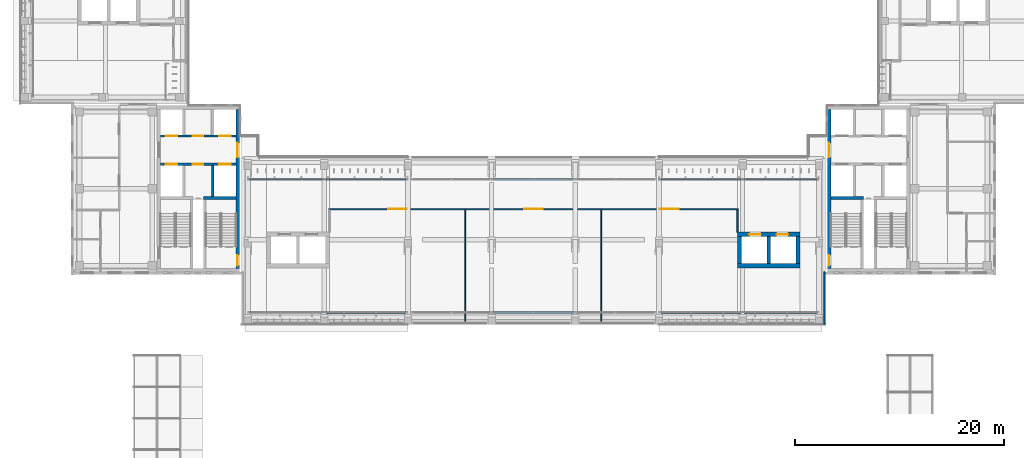
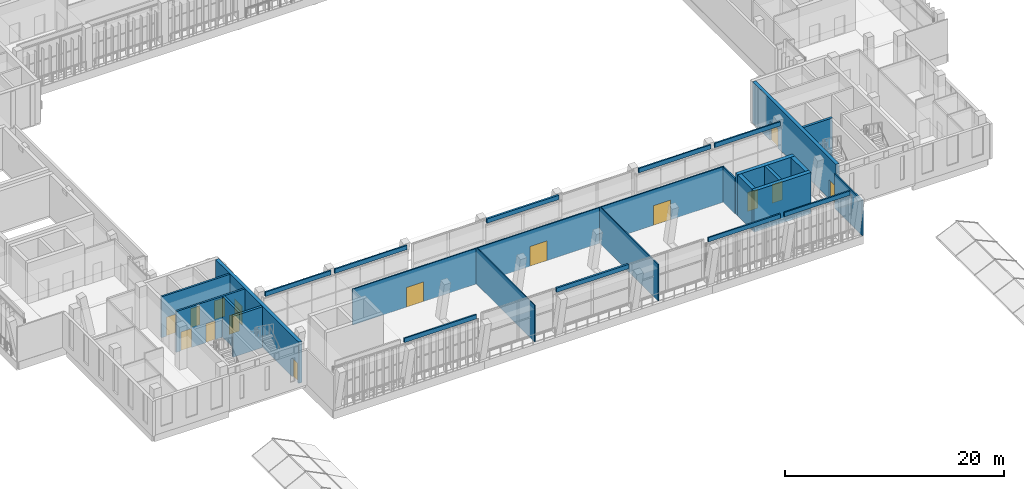
# One storey, part 43 of 73: 26 walls, 15 doors, 15 openings.
"""IFC4 building model written with IfcOpenShell, lengths in metres."""

from ifc_helpers import new_model, si_unit, direction, frame, frame_2d, origin, place, context, subcontext, project, spatial, rectangle, extrude, material, layer, layer_set, type_object, element, fill, save


model = new_model("IFC4")

# Units and contexts
model_context = context("Model", 3, precision=1e-05, world=origin(), true_north=direction((0.0, 1.0)))
body_context = subcontext(model_context, "Body", "Model", "MODEL_VIEW")
ifc_project = project(units=[si_unit("LENGTHUNIT", "METRE"), si_unit("AREAUNIT", "SQUARE_METRE"), si_unit("VOLUMEUNIT", "CUBIC_METRE"), si_unit("PLANEANGLEUNIT", "RADIAN"), si_unit("MASSUNIT", "GRAM", prefix="KILO")], contexts=[model_context])

# Site, building, storey
site_placement = place(None, origin())
site = spatial("IfcSite", under=ifc_project, at=site_placement, CompositionType="ELEMENT")
building_placement = place(site_placement, origin())
building = spatial("IfcBuilding", under=site, at=building_placement, Name="Lantern Court Media Centre", CompositionType="ELEMENT")
storey_placement = place(building_placement, frame((0.0, 0.0, 24.0)))
storey = spatial("IfcBuildingStorey", under=building, at=storey_placement, Name="L05", CompositionType="ELEMENT", Elevation=24.0)

# Wall
ifc_material_1 = material(Name="Gypsum board partition")
ifc_layer_1 = layer(ifc_material_1, 0.125)
ifc_layer_set_1 = layer_set([ifc_layer_1], Name="Gypsum board partition")
wall_type_1 = type_object("IfcWallType", Name="Corridor partition 125", PredefinedType="PARTITIONING", material=ifc_layer_set_1)
wall_1_placement = place(storey_placement, frame((71.5, 51.800048828125, 0.0), z_axis=(0.0, 0.0, 1.0), x_axis=(0.0, 1.0, 0.0)))
element("IfcWall", 1, at=wall_1_placement, inside=storey, type_object=wall_type_1, Name="L05 partition 002", PredefinedType="PARTITIONING", context=body_context, shape_type="SweptSolid", body=[
    extrude(rectangle(XDim=2.137451171875, YDim=0.125, at=frame_2d((1.06884765625, 0.0))), origin(), (0.0, 0.0, 1.0), 3.97998046875),
])

# Wall, openings, doors
wall_2_placement = place(storey_placement, frame((32.4375, 54.0, 0.0), z_axis=(0.0, 0.0, 1.0), x_axis=(1.0, 0.0, 0.0)))
wall_2 = element("IfcWall", 2, at=wall_2_placement, inside=storey, type_object=wall_type_1, Name="L05 partition 004", PredefinedType="PARTITIONING", context=body_context, shape_type="SweptSolid", body=[
    extrude(rectangle(XDim=39.125, YDim=0.125, at=frame_2d((19.5625, 0.0))), origin(), (0.0, 0.0, 1.0), 3.97998046875),
])
opening_1_placement = place(wall_2_placement, frame((5.66259765625, 0.0, 0.0)))
opening_1 = element("IfcOpeningElement", 3, at=opening_1_placement, cuts=wall_2, Name="Opening L05-001", PredefinedType="OPENING", context=body_context, shape_type="SweptSolid", body=[
    extrude(rectangle(XDim=1.800048828125, YDim=2.199951171875, at=frame_2d((0.89990234375, 1.10009765625))), frame((0.0, 0.072509765625, 0.0), z_axis=(0.0, -1.0, 0.0), x_axis=(1.0, 0.0, 0.0)), (0.0, 0.0, 1.0), 0.14501953125),
])
opening_2_placement = place(wall_2_placement, frame((18.66259765625, 0.0, 0.0)))
opening_2 = element("IfcOpeningElement", 4, at=opening_2_placement, cuts=wall_2, Name="Opening L05-002", PredefinedType="OPENING", context=body_context, shape_type="SweptSolid", body=[
    extrude(rectangle(XDim=1.800048828125, YDim=2.199951171875, at=frame_2d((0.89990234375, 1.10009765625))), frame((0.0, 0.072509765625, 0.0), z_axis=(0.0, -1.0, 0.0), x_axis=(1.0, 0.0, 0.0)), (0.0, 0.0, 1.0), 0.14501953125),
])
opening_3_placement = place(wall_2_placement, frame((31.66259765625, 0.0, 0.0)))
opening_3 = element("IfcOpeningElement", 5, at=opening_3_placement, cuts=wall_2, Name="Opening L05-003", PredefinedType="OPENING", context=body_context, shape_type="SweptSolid", body=[
    extrude(rectangle(XDim=1.800048828125, YDim=2.199951171875, at=frame_2d((0.89990234375, 1.10009765625))), frame((0.0, 0.072509765625, 0.0), z_axis=(0.0, -1.0, 0.0), x_axis=(1.0, 0.0, 0.0)), (0.0, 0.0, 1.0), 0.14501953125),
])
ifc_material_2 = material(Name="Solid-core timber door leaf", Category="wood")
door_type_1 = type_object("IfcDoorType", Name="Double door 1800x2200", OperationType="NOTDEFINED", PredefinedType="DOOR", material=ifc_material_2)
door_1_placement = place(opening_1_placement, origin())
door_1 = element("IfcDoor", 6, at=door_1_placement, inside=storey, type_object=door_type_1, Name="L05 Exhibition Gallery door", OperationType="DOUBLE_DOOR_SINGLE_SWING", OverallHeight=2.199951171875, OverallWidth=1.800048828125, PredefinedType="DOOR", context=body_context, shape_type="SweptSolid", body=[
    extrude(rectangle(XDim=1.800048828125, YDim=2.199951171875, at=frame_2d((0.89990234375, 1.10009765625))), frame((0.0, 0.02490234375, 0.0), z_axis=(0.0, -1.0, 0.0), x_axis=(1.0, 0.0, 0.0)), (0.0, 0.0, 1.0), 0.050048828125),
])
fill(opening_1, door_1)
door_2_placement = place(opening_2_placement, origin())
door_2 = element("IfcDoor", 7, at=door_2_placement, inside=storey, type_object=door_type_1, Name="L05 Community Room 01 door", OperationType="DOUBLE_DOOR_SINGLE_SWING", OverallHeight=2.199951171875, OverallWidth=1.800048828125, PredefinedType="DOOR", context=body_context, shape_type="SweptSolid", body=[
    extrude(rectangle(XDim=1.800048828125, YDim=2.199951171875, at=frame_2d((0.89990234375, 1.10009765625))), frame((0.0, 0.02490234375, 0.0), z_axis=(0.0, -1.0, 0.0), x_axis=(1.0, 0.0, 0.0)), (0.0, 0.0, 1.0), 0.050048828125),
])
fill(opening_2, door_2)
door_3_placement = place(opening_3_placement, origin())
door_3 = element("IfcDoor", 8, at=door_3_placement, inside=storey, type_object=door_type_1, Name="L05 Community Room 02 door", OperationType="DOUBLE_DOOR_SINGLE_SWING", OverallHeight=2.199951171875, OverallWidth=1.800048828125, PredefinedType="DOOR", context=body_context, shape_type="SweptSolid", body=[
    extrude(rectangle(XDim=1.800048828125, YDim=2.199951171875, at=frame_2d((0.89990234375, 1.10009765625))), frame((0.0, 0.02490234375, 0.0), z_axis=(0.0, -1.0, 0.0), x_axis=(1.0, 0.0, 0.0)), (0.0, 0.0, 1.0), 0.050048828125),
])
fill(opening_3, door_3)

ifc_material_3 = material(Name="Concrete C40", Category="concrete")
ifc_layer_2 = layer(ifc_material_3, 0.199951171875)
ifc_layer_set_2 = layer_set([ifc_layer_2], Name="Concrete C40")
wall_type_2 = type_object("IfcWallType", Name="Fire lobby wall 200", PredefinedType="SOLIDWALL", material=ifc_layer_set_2)
wall_3_placement = place(storey_placement, frame((16.35009765625, 58.300048828125, 0.0), z_axis=(0.0, 0.0, 1.0), x_axis=(1.0, 0.0, 0.0)))
wall_3 = element("IfcWall", 9, at=wall_3_placement, inside=storey, type_object=wall_type_2, Name="L05 SW FW1", PredefinedType="SOLIDWALL", context=body_context, shape_type="SweptSolid", body=[
    extrude(rectangle(XDim=7.199951171875, YDim=0.199951171875, at=frame_2d((3.60009765625, 0.0))), origin(), (0.0, 0.0, 1.0), 4.550048828125),
])
opening_4_placement = place(wall_3_placement, frame((0.5, 0.0, 0.0)))
opening_4 = element("IfcOpeningElement", 10, at=opening_4_placement, cuts=wall_3, Name="Opening LD-SWFF-L05", PredefinedType="OPENING", context=body_context, shape_type="SweptSolid", body=[
    extrude(rectangle(XDim=1.10009765625, YDim=2.10009765625, at=frame_2d((0.550048828125, 1.050048828125))), frame((0.0, 0.10986328125, 0.0), z_axis=(0.0, -1.0, 0.0), x_axis=(1.0, 0.0, 0.0)), (0.0, 0.0, 1.0), 0.219970703125),
])
opening_5_placement = place(wall_3_placement, frame((5.60009765625, 0.0, 0.0)))
opening_5 = element("IfcOpeningElement", 11, at=opening_5_placement, cuts=wall_3, Name="Opening LD-SWP1-L05", PredefinedType="OPENING", context=body_context, shape_type="SweptSolid", body=[
    extrude(rectangle(XDim=1.10009765625, YDim=2.10009765625, at=frame_2d((0.550048828125, 1.050048828125))), frame((0.0, 0.10986328125, 0.0), z_axis=(0.0, -1.0, 0.0), x_axis=(1.0, 0.0, 0.0)), (0.0, 0.0, 1.0), 0.219970703125),
])
opening_6_placement = place(wall_3_placement, frame((3.10009765625, 0.0, 0.0)))
opening_6 = element("IfcOpeningElement", 12, at=opening_6_placement, cuts=wall_3, Name="Opening SW-L05-03", PredefinedType="OPENING", context=body_context, shape_type="SweptSolid", body=[
    extrude(rectangle(XDim=1.0, YDim=2.10009765625, at=frame_2d((0.5, 1.050048828125))), frame((0.0, 0.10986328125, 0.0), z_axis=(0.0, -1.0, 0.0), x_axis=(1.0, 0.0, 0.0)), (0.0, 0.0, 1.0), 0.219970703125),
])
ifc_material_4 = material(Name="Steel door leaf", Category="steel")
door_type_2 = type_object("IfcDoorType", Name="Lift landing door 1100x2100", OperationType="DOUBLE_DOOR_SLIDING", PredefinedType="DOOR", material=ifc_material_4)
door_4_placement = place(opening_4_placement, origin())
door_4 = element("IfcDoor", 13, at=door_4_placement, inside=storey, type_object=door_type_2, Name="L05 SW lift FF landing door", OperationType="DOUBLE_DOOR_SLIDING", OverallHeight=2.10009765625, OverallWidth=1.10009765625, PredefinedType="DOOR", context=body_context, shape_type="SweptSolid", body=[
    extrude(rectangle(XDim=1.10009765625, YDim=2.10009765625, at=frame_2d((0.550048828125, 1.050048828125))), frame((0.0, 0.02490234375, 0.0), z_axis=(0.0, -1.0, 0.0), x_axis=(1.0, 0.0, 0.0)), (0.0, 0.0, 1.0), 0.050048828125),
])
fill(opening_4, door_4)
door_5_placement = place(opening_5_placement, origin())
door_5 = element("IfcDoor", 14, at=door_5_placement, inside=storey, type_object=door_type_2, Name="L05 SW lift P1 landing door", OperationType="DOUBLE_DOOR_SLIDING", OverallHeight=2.10009765625, OverallWidth=1.10009765625, PredefinedType="DOOR", context=body_context, shape_type="SweptSolid", body=[
    extrude(rectangle(XDim=1.10009765625, YDim=2.10009765625, at=frame_2d((0.550048828125, 1.050048828125))), frame((0.0, 0.02490234375, 0.0), z_axis=(0.0, -1.0, 0.0), x_axis=(1.0, 0.0, 0.0)), (0.0, 0.0, 1.0), 0.050048828125),
])
fill(opening_5, door_5)
door_type_3 = type_object("IfcDoorType", Name="Service door 1000x2100", OperationType="NOTDEFINED", PredefinedType="DOOR", material=ifc_material_4)
door_6_placement = place(opening_6_placement, origin())
door_6 = element("IfcDoor", 15, at=door_6_placement, inside=storey, type_object=door_type_3, Name="L05 SW services riser door", OperationType="SINGLE_SWING_LEFT", OverallHeight=2.10009765625, OverallWidth=1.0, PredefinedType="DOOR", context=body_context, shape_type="SweptSolid", body=[
    extrude(rectangle(XDim=1.0, YDim=2.10009765625, at=frame_2d((0.5, 1.050048828125))), frame((0.0, 0.02490234375, 0.0), z_axis=(0.0, -1.0, 0.0), x_axis=(1.0, 0.0, 0.0)), (0.0, 0.0, 1.0), 0.050048828125),
])
fill(opening_6, door_6)

wall_4_placement = place(storey_placement, frame((16.35009765625, 61.0, 0.0), z_axis=(0.0, 0.0, 1.0), x_axis=(1.0, 0.0, 0.0)))
wall_4 = element("IfcWall", 16, at=wall_4_placement, inside=storey, type_object=wall_type_2, Name="L05 SW FW2", PredefinedType="SOLIDWALL", context=body_context, shape_type="SweptSolid", body=[
    extrude(rectangle(XDim=7.199951171875, YDim=0.199951171875, at=frame_2d((3.60009765625, 0.0))), origin(), (0.0, 0.0, 1.0), 4.550048828125),
])
opening_7_placement = place(wall_4_placement, frame((0.5, 0.0, 0.0)))
opening_7 = element("IfcOpeningElement", 17, at=opening_7_placement, cuts=wall_4, Name="Opening LD-SWP2-L05", PredefinedType="OPENING", context=body_context, shape_type="SweptSolid", body=[
    extrude(rectangle(XDim=1.10009765625, YDim=2.10009765625, at=frame_2d((0.550048828125, 1.050048828125))), frame((0.0, 0.10986328125, 0.0), z_axis=(0.0, -1.0, 0.0), x_axis=(1.0, 0.0, 0.0)), (0.0, 0.0, 1.0), 0.219970703125),
])
opening_8_placement = place(wall_4_placement, frame((5.60009765625, 0.0, 0.0)))
opening_8 = element("IfcOpeningElement", 18, at=opening_8_placement, cuts=wall_4, Name="Opening LD-SWP3-L05", PredefinedType="OPENING", context=body_context, shape_type="SweptSolid", body=[
    extrude(rectangle(XDim=1.10009765625, YDim=2.10009765625, at=frame_2d((0.550048828125, 1.050048828125))), frame((0.0, 0.10986328125, 0.0), z_axis=(0.0, -1.0, 0.0), x_axis=(1.0, 0.0, 0.0)), (0.0, 0.0, 1.0), 0.219970703125),
])
opening_9_placement = place(wall_4_placement, frame((3.10009765625, 0.0, 0.0)))
opening_9 = element("IfcOpeningElement", 19, at=opening_9_placement, cuts=wall_4, Name="Opening SW-L05-04", PredefinedType="OPENING", context=body_context, shape_type="SweptSolid", body=[
    extrude(rectangle(XDim=1.0, YDim=2.10009765625, at=frame_2d((0.5, 1.050048828125))), frame((0.0, 0.10986328125, 0.0), z_axis=(0.0, -1.0, 0.0), x_axis=(1.0, 0.0, 0.0)), (0.0, 0.0, 1.0), 0.219970703125),
])
door_7_placement = place(opening_7_placement, frame((1.10009765625, 0.0, 0.0), z_axis=(0.0, 0.0, 1.0), x_axis=(-1.0, 0.0, 0.0)))
door_7 = element("IfcDoor", 20, at=door_7_placement, inside=storey, type_object=door_type_2, Name="L05 SW lift P2 landing door", OperationType="DOUBLE_DOOR_SLIDING", OverallHeight=2.10009765625, OverallWidth=1.10009765625, PredefinedType="DOOR", context=body_context, shape_type="SweptSolid", body=[
    extrude(rectangle(XDim=1.10009765625, YDim=2.10009765625, at=frame_2d((0.550048828125, 1.050048828125))), frame((0.0, 0.02490234375, 0.0), z_axis=(0.0, -1.0, 0.0), x_axis=(1.0, 0.0, 0.0)), (0.0, 0.0, 1.0), 0.050048828125),
])
fill(opening_7, door_7)
door_8_placement = place(opening_8_placement, frame((1.10009765625, 0.0, 0.0), z_axis=(0.0, 0.0, 1.0), x_axis=(-1.0, 0.0, 0.0)))
door_8 = element("IfcDoor", 21, at=door_8_placement, inside=storey, type_object=door_type_2, Name="L05 SW lift P3 landing door", OperationType="DOUBLE_DOOR_SLIDING", OverallHeight=2.10009765625, OverallWidth=1.10009765625, PredefinedType="DOOR", context=body_context, shape_type="SweptSolid", body=[
    extrude(rectangle(XDim=1.10009765625, YDim=2.10009765625, at=frame_2d((0.550048828125, 1.050048828125))), frame((0.0, 0.02490234375, 0.0), z_axis=(0.0, -1.0, 0.0), x_axis=(1.0, 0.0, 0.0)), (0.0, 0.0, 1.0), 0.050048828125),
])
fill(opening_8, door_8)
door_9_placement = place(opening_9_placement, frame((1.0, 0.0, 0.0), z_axis=(0.0, 0.0, 1.0), x_axis=(-1.0, 0.0, 0.0)))
door_9 = element("IfcDoor", 22, at=door_9_placement, inside=storey, type_object=door_type_3, Name="L05 SW accessible WC door", OperationType="SINGLE_SWING_RIGHT", OverallHeight=2.10009765625, OverallWidth=1.0, PredefinedType="DOOR", context=body_context, shape_type="SweptSolid", body=[
    extrude(rectangle(XDim=1.0, YDim=2.10009765625, at=frame_2d((0.5, 1.050048828125))), frame((0.0, 0.02490234375, 0.0), z_axis=(0.0, -1.0, 0.0), x_axis=(1.0, 0.0, 0.0)), (0.0, 0.0, 1.0), 0.050048828125),
])
fill(opening_9, door_9)

# Walls
ifc_material_5 = material(Name="Insulated rendered blockwork", Category="masonry")
ifc_layer_3 = layer(ifc_material_5, 0.14990234375)
ifc_layer_set_3 = layer_set([ifc_layer_3], Name="Insulated rendered blockwork")
wall_type_3 = type_object("IfcWallType", Name="Head infill wall 150", PredefinedType="SOLIDWALL", material=ifc_layer_set_3)
for number, where, z_axis, x_axis, name in (
    (23, (32.199951171875, 44.14990234375, 4.10009765625), (0.0, 0.0, 1.0), (1.0, 0.0, 0.0), "Head infill wall S outer L05"),
    (24, (64.199951171875, 44.14990234375, 4.10009765625), (0.0, 0.0, 1.0), (1.0, 0.0, 0.0), "Head infill wall S outer L05"),
):
    element("IfcWall", number, at=place(storey_placement, frame(where, z_axis=z_axis, x_axis=x_axis)), inside=storey, type_object=wall_type_3, Name=name, PredefinedType="SOLIDWALL", context=body_context, shape_type="SweptSolid", body=[
        extrude(rectangle(XDim=7.60009765625, YDim=0.14990234375, at=frame_2d((3.800048828125, 0.0))), origin(), (0.0, 0.0, 1.0), 0.47998046875),
    ])
for number, where, z_axis, x_axis, name in (
    (25, (72.199951171875, 44.14990234375, 4.10009765625), (0.0, 0.0, 1.0), (1.0, 0.0, 0.0), "Head infill wall S outer L05"),
    (26, (24.89990234375, 56.85009765625, 4.10009765625), (0.0, 0.0, 1.0), (1.0, 0.0, 0.0), "Head infill wall S inner L05"),
):
    element("IfcWall", number, at=place(storey_placement, frame(where, z_axis=z_axis, x_axis=x_axis)), inside=storey, type_object=wall_type_3, Name=name, PredefinedType="SOLIDWALL", context=body_context, shape_type="SweptSolid", body=[
        extrude(rectangle(XDim=6.900146484375, YDim=0.14990234375, at=frame_2d((3.4501953125, 0.0))), origin(), (0.0, 0.0, 1.0), 0.47998046875),
    ])
for number, where, z_axis, x_axis, name in (
    (27, (32.199951171875, 56.85009765625, 4.10009765625), (0.0, 0.0, 1.0), (1.0, 0.0, 0.0), "Head infill wall S inner L05"),
    (28, (64.199951171875, 56.85009765625, 4.10009765625), (0.0, 0.0, 1.0), (1.0, 0.0, 0.0), "Head infill wall S inner L05"),
):
    element("IfcWall", number, at=place(storey_placement, frame(where, z_axis=z_axis, x_axis=x_axis)), inside=storey, type_object=wall_type_3, Name=name, PredefinedType="SOLIDWALL", context=body_context, shape_type="SweptSolid", body=[
        extrude(rectangle(XDim=7.60009765625, YDim=0.14990234375, at=frame_2d((3.800048828125, 0.0))), origin(), (0.0, 0.0, 1.0), 0.47998046875),
    ])
wall_5_placement = place(storey_placement, frame((72.199951171875, 56.85009765625, 4.10009765625), z_axis=(0.0, 0.0, 1.0), x_axis=(1.0, 0.0, 0.0)))
element("IfcWall", 29, at=wall_5_placement, inside=storey, type_object=wall_type_3, Name="Head infill wall S inner L05", PredefinedType="SOLIDWALL", context=body_context, shape_type="SweptSolid", body=[
    extrude(rectangle(XDim=6.900146484375, YDim=0.14990234375, at=frame_2d((3.4501953125, 0.0))), origin(), (0.0, 0.0, 1.0), 0.47998046875),
])
ifc_layer_4 = layer(ifc_material_5, 0.199951171875)
ifc_layer_set_4 = layer_set([ifc_layer_4], Name="Insulated rendered blockwork")
wall_type_4 = type_object("IfcWallType", Name="Head infill wall 200", PredefinedType="SOLIDWALL", material=ifc_layer_set_4)
for number, where, z_axis, x_axis, name in (
    (30, (48.199951171875, 44.14990234375, 4.10009765625), (0.0, 0.0, 1.0), (1.0, 0.0, 0.0), "Head infill wall S hall"),
    (31, (48.199951171875, 56.85009765625, 4.10009765625), (0.0, 0.0, 1.0), (1.0, 0.0, 0.0), "Head infill wall S hall"),
):
    element("IfcWall", number, at=place(storey_placement, frame(where, z_axis=z_axis, x_axis=x_axis)), inside=storey, type_object=wall_type_4, Name=name, PredefinedType="SOLIDWALL", context=body_context, shape_type="SweptSolid", body=[
        extrude(rectangle(XDim=7.60009765625, YDim=0.199951171875, at=frame_2d((3.800048828125, 0.0))), origin(), (0.0, 0.0, 1.0), 0.47998046875),
    ])
ifc_material_6 = material(Name="Honed limestone cladding on blockwork", Category="masonry")
ifc_layer_5 = layer(ifc_material_6, 0.139892578125)
ifc_layer_set_5 = layer_set([ifc_layer_5], Name="Honed limestone cladding on blockwork")
wall_type_5 = type_object("IfcWallType", Name="Limestone closure wall 140", PredefinedType="SOLIDWALL", material=ifc_layer_set_5)
wall_6_placement = place(storey_placement, frame((79.830078125, 43.0, 0.0), z_axis=(0.0, 0.0, 1.0), x_axis=(0.0, 1.0, 0.0)))
element("IfcWall", 32, at=wall_6_placement, inside=storey, type_object=wall_type_5, Name="Limestone closure wall S-SE L05", PredefinedType="SOLIDWALL", context=body_context, shape_type="SweptSolid", body=[
    extrude(rectangle(XDim=5.0, YDim=0.139892578125, at=frame_2d((2.5, 0.0))), origin(), (0.0, 0.0, 1.0), 3.89990234375),
])
ifc_layer_6 = layer(ifc_material_1, 0.10009765625)
ifc_layer_set_6 = layer_set([ifc_layer_6], Name="Gypsum board partition")
wall_type_6 = type_object("IfcWallType", Name="Partition 100", PredefinedType="PARTITIONING", material=ifc_layer_set_6)
for number, where, z_axis, x_axis, name in (
    (33, (45.5, 43.300048828125, 0.0), (0.0, 0.0, 1.0), (0.0, 1.0, 0.0), "L05 partition 003"),
    (34, (58.5, 43.300048828125, 0.0), (0.0, 0.0, 1.0), (0.0, 1.0, 0.0), "L05 partition 005"),
):
    element("IfcWall", number, at=place(storey_placement, frame(where, z_axis=z_axis, x_axis=x_axis)), inside=storey, type_object=wall_type_6, Name=name, PredefinedType="PARTITIONING", context=body_context, shape_type="SweptSolid", body=[
        extrude(rectangle(XDim=10.637451171875, YDim=0.10009765625, at=frame_2d((5.31884765625, 0.0))), origin(), (0.0, 0.0, 1.0), 4.080078125),
    ])

# Wall, openings, doors
ifc_layer_7 = layer(ifc_material_3, 0.35009765625)
ifc_layer_set_7 = layer_set([ifc_layer_7], Name="Concrete C40")
wall_type_7 = type_object("IfcWallType", Name="RC CORE WALL 350", PredefinedType="SHEAR", material=ifc_layer_set_7)
wall_7_placement = place(storey_placement, frame((23.72509765625, 48.35009765625, 0.0), z_axis=(0.0, 0.0, 1.0), x_axis=(0.0, 1.0, 0.0)))
wall_7 = element("IfcWall", 35, at=wall_7_placement, inside=storey, type_object=wall_type_7, Name="WC-SW-L05-E", PredefinedType="SHEAR", context=body_context, shape_type="SweptSolid", body=[
    extrude(rectangle(XDim=15.199951171875, YDim=0.35009765625, at=frame_2d((7.60009765625, 0.0))), origin(), (0.0, 0.0, 1.0), 4.580078125),
])
opening_10_placement = place(wall_7_placement, frame((0.25, 0.0, 0.0)))
opening_10 = element("IfcOpeningElement", 36, at=opening_10_placement, cuts=wall_7, Name="Opening SW-L05-02", PredefinedType="OPENING", context=body_context, shape_type="SweptSolid", body=[
    extrude(rectangle(XDim=1.0, YDim=2.10009765625, at=frame_2d((0.5, 1.050048828125))), frame((0.0, 0.18505859375, 0.0), z_axis=(0.0, -1.0, 0.0), x_axis=(1.0, 0.0, 0.0)), (0.0, 0.0, 1.0), 0.3701171875),
])
opening_11_placement = place(wall_7_placement, frame((10.60009765625, 0.0, 0.0)))
opening_11 = element("IfcOpeningElement", 37, at=opening_11_placement, cuts=wall_7, Name="Opening SW-L05-06", PredefinedType="OPENING", context=body_context, shape_type="SweptSolid", body=[
    extrude(rectangle(XDim=1.39990234375, YDim=2.10009765625, at=frame_2d((0.699951171875, 1.050048828125))), frame((0.0, 0.18505859375, 0.0), z_axis=(0.0, -1.0, 0.0), x_axis=(1.0, 0.0, 0.0)), (0.0, 0.0, 1.0), 0.3701171875),
])
door_type_4 = type_object("IfcDoorType", Name="Lift lobby double door 1400x2100", OperationType="NOTDEFINED", PredefinedType="DOOR", material=ifc_material_4)
door_10_placement = place(opening_11_placement, frame((1.39990234375, 0.0, 0.0), z_axis=(0.0, 0.0, 1.0), x_axis=(-1.0, 0.0, 0.0)))
door_10 = element("IfcDoor", 38, at=door_10_placement, inside=storey, type_object=door_type_4, Name="L05 SW lift lobby east door", OperationType="SINGLE_SWING_RIGHT", OverallHeight=2.10009765625, OverallWidth=1.39990234375, PredefinedType="DOOR", context=body_context, shape_type="SweptSolid", body=[
    extrude(rectangle(XDim=1.39990234375, YDim=2.10009765625, at=frame_2d((0.699951171875, 1.050048828125))), frame((0.0, 0.02490234375, 0.0), z_axis=(0.0, -1.0, 0.0), x_axis=(1.0, 0.0, 0.0)), (0.0, 0.0, 1.0), 0.050048828125),
])
fill(opening_11, door_10)
door_type_5 = type_object("IfcDoorType", Name="Stair door 1000x2100", OperationType="NOTDEFINED", PredefinedType="DOOR", material=ifc_material_4)
door_11_placement = place(opening_10_placement, frame((1.0, 0.0, 0.0), z_axis=(0.0, 0.0, 1.0), x_axis=(-1.0, 0.0, 0.0)))
door_11 = element("IfcDoor", 39, at=door_11_placement, inside=storey, type_object=door_type_5, Name="L05 SW stair B door", OperationType="SINGLE_SWING_RIGHT", OverallHeight=2.10009765625, OverallWidth=1.0, PredefinedType="DOOR", context=body_context, shape_type="SweptSolid", body=[
    extrude(rectangle(XDim=1.0, YDim=2.10009765625, at=frame_2d((0.5, 1.050048828125))), frame((0.0, 0.02490234375, 0.0), z_axis=(0.0, -1.0, 0.0), x_axis=(1.0, 0.0, 0.0)), (0.0, 0.0, 1.0), 0.050048828125),
])
fill(opening_10, door_11)

wall_8_placement = place(storey_placement, frame((80.27490234375, 48.35009765625, 0.0), z_axis=(0.0, 0.0, 1.0), x_axis=(0.0, 1.0, 0.0)))
wall_8 = element("IfcWall", 40, at=wall_8_placement, inside=storey, type_object=wall_type_7, Name="WC-SE-L05-W", PredefinedType="SHEAR", context=body_context, shape_type="SweptSolid", body=[
    extrude(rectangle(XDim=15.199951171875, YDim=0.35009765625, at=frame_2d((7.60009765625, 0.0))), origin(), (0.0, 0.0, 1.0), 4.580078125),
])
opening_12_placement = place(wall_8_placement, frame((0.25, 0.0, 0.0)))
opening_12 = element("IfcOpeningElement", 41, at=opening_12_placement, cuts=wall_8, Name="Opening SE-L05-02", PredefinedType="OPENING", context=body_context, shape_type="SweptSolid", body=[
    extrude(rectangle(XDim=1.0, YDim=2.10009765625, at=frame_2d((0.5, 1.050048828125))), frame((0.0, 0.18505859375, 0.0), z_axis=(0.0, -1.0, 0.0), x_axis=(1.0, 0.0, 0.0)), (0.0, 0.0, 1.0), 0.3701171875),
])
opening_13_placement = place(wall_8_placement, frame((10.60009765625, 0.0, 0.0)))
opening_13 = element("IfcOpeningElement", 42, at=opening_13_placement, cuts=wall_8, Name="Opening SE-L05-06", PredefinedType="OPENING", context=body_context, shape_type="SweptSolid", body=[
    extrude(rectangle(XDim=1.39990234375, YDim=2.10009765625, at=frame_2d((0.699951171875, 1.050048828125))), frame((0.0, 0.18505859375, 0.0), z_axis=(0.0, -1.0, 0.0), x_axis=(1.0, 0.0, 0.0)), (0.0, 0.0, 1.0), 0.3701171875),
])
door_12_placement = place(opening_13_placement, origin())
door_12 = element("IfcDoor", 43, at=door_12_placement, inside=storey, type_object=door_type_4, Name="L05 SE lift lobby east door", OperationType="SINGLE_SWING_LEFT", OverallHeight=2.10009765625, OverallWidth=1.39990234375, PredefinedType="DOOR", context=body_context, shape_type="SweptSolid", body=[
    extrude(rectangle(XDim=1.39990234375, YDim=2.10009765625, at=frame_2d((0.699951171875, 1.050048828125))), frame((0.0, 0.02490234375, 0.0), z_axis=(0.0, -1.0, 0.0), x_axis=(1.0, 0.0, 0.0)), (0.0, 0.0, 1.0), 0.050048828125),
])
fill(opening_13, door_12)
door_13_placement = place(opening_12_placement, origin())
door_13 = element("IfcDoor", 44, at=door_13_placement, inside=storey, type_object=door_type_5, Name="L05 SE stair B door", OperationType="SINGLE_SWING_LEFT", OverallHeight=2.10009765625, OverallWidth=1.0, PredefinedType="DOOR", context=body_context, shape_type="SweptSolid", body=[
    extrude(rectangle(XDim=1.0, YDim=2.10009765625, at=frame_2d((0.5, 1.050048828125))), frame((0.0, 0.02490234375, 0.0), z_axis=(0.0, -1.0, 0.0), x_axis=(1.0, 0.0, 0.0)), (0.0, 0.0, 1.0), 0.050048828125),
])
fill(opening_12, door_13)

# Walls
ifc_layer_8 = layer(ifc_material_3, 0.300048828125)
ifc_layer_set_8 = layer_set([ifc_layer_8], Name="Concrete C40")
wall_type_8 = type_object("IfcWallType", Name="RC SHEAR WALL 300", PredefinedType="SHEAR", material=ifc_layer_set_8)
wall_9_placement = place(storey_placement, frame((74.5, 48.800048828125, 0.0), z_axis=(0.0, 0.0, 1.0), x_axis=(0.0, 1.0, 0.0)))
element("IfcWall", 45, at=wall_9_placement, inside=storey, type_object=wall_type_8, Name="WB-S-LC2-L05-D", PredefinedType="SHEAR", context=body_context, shape_type="SweptSolid", body=[
    extrude(rectangle(XDim=2.599853515625, YDim=0.300048828125, at=frame_2d((1.2998046875, 0.0))), origin(), (0.0, 0.0, 1.0), 4.580078125),
])
ifc_layer_9 = layer(ifc_material_3, 0.39990234375)
ifc_layer_set_9 = layer_set([ifc_layer_9], Name="Concrete C40")
wall_type_9 = type_object("IfcWallType", Name="RC SHEAR WALL 400", PredefinedType="SHEAR", material=ifc_layer_set_9)
wall_10_placement = place(storey_placement, frame((71.5, 48.60009765625, 0.0), z_axis=(0.0, 0.0, 1.0), x_axis=(1.0, 0.0, 0.0)))
element("IfcWall", 46, at=wall_10_placement, inside=storey, type_object=wall_type_9, Name="WB-S-LC2-L05-S", PredefinedType="SHEAR", context=body_context, shape_type="SweptSolid", body=[
    extrude(rectangle(XDim=6.0, YDim=0.39990234375, at=frame_2d((3.0, 0.0))), origin(), (0.0, 0.0, 1.0), 4.580078125),
])

# Wall, openings, doors
wall_11_placement = place(storey_placement, frame((71.5, 51.60009765625, 0.0), z_axis=(0.0, 0.0, 1.0), x_axis=(1.0, 0.0, 0.0)))
wall_11 = element("IfcWall", 47, at=wall_11_placement, inside=storey, type_object=wall_type_9, Name="WB-S-LC2-L05-N", PredefinedType="SHEAR", context=body_context, shape_type="SweptSolid", body=[
    extrude(rectangle(XDim=6.0, YDim=0.39990234375, at=frame_2d((3.0, 0.0))), origin(), (0.0, 0.0, 1.0), 4.580078125),
])
opening_14_placement = place(wall_11_placement, frame((1.14990234375, 0.0, 0.0)))
opening_14 = element("IfcOpeningElement", 48, at=opening_14_placement, cuts=wall_11, Name="Opening LD-S-LC2P-L05", PredefinedType="OPENING", context=body_context, shape_type="SweptSolid", body=[
    extrude(rectangle(XDim=1.10009765625, YDim=2.10009765625, at=frame_2d((0.550048828125, 1.050048828125))), frame((0.0, 0.2099609375, 0.0), z_axis=(0.0, -1.0, 0.0), x_axis=(1.0, 0.0, 0.0)), (0.0, 0.0, 1.0), 0.419921875),
])
opening_15_placement = place(wall_11_placement, frame((3.75, 0.0, 0.0)))
opening_15 = element("IfcOpeningElement", 49, at=opening_15_placement, cuts=wall_11, Name="Opening LD-S-LC2S-L05", PredefinedType="OPENING", context=body_context, shape_type="SweptSolid", body=[
    extrude(rectangle(XDim=1.10009765625, YDim=2.10009765625, at=frame_2d((0.550048828125, 1.050048828125))), frame((0.0, 0.2099609375, 0.0), z_axis=(0.0, -1.0, 0.0), x_axis=(1.0, 0.0, 0.0)), (0.0, 0.0, 1.0), 0.419921875),
])
door_14_placement = place(opening_14_placement, origin())
door_14 = element("IfcDoor", 50, at=door_14_placement, inside=storey, type_object=door_type_2, Name="L05 S-LC2 passenger lift landing door", OperationType="DOUBLE_DOOR_SLIDING", OverallHeight=2.10009765625, OverallWidth=1.10009765625, PredefinedType="DOOR", context=body_context, shape_type="SweptSolid", body=[
    extrude(rectangle(XDim=1.10009765625, YDim=2.10009765625, at=frame_2d((0.550048828125, 1.050048828125))), frame((0.0, 0.02490234375, 0.0), z_axis=(0.0, -1.0, 0.0), x_axis=(1.0, 0.0, 0.0)), (0.0, 0.0, 1.0), 0.050048828125),
])
fill(opening_14, door_14)
door_15_placement = place(opening_15_placement, origin())
door_15 = element("IfcDoor", 51, at=door_15_placement, inside=storey, type_object=door_type_2, Name="L05 S-LC2 service lift landing door", OperationType="DOUBLE_DOOR_SLIDING", OverallHeight=2.10009765625, OverallWidth=1.10009765625, PredefinedType="DOOR", context=body_context, shape_type="SweptSolid", body=[
    extrude(rectangle(XDim=1.10009765625, YDim=2.10009765625, at=frame_2d((0.550048828125, 1.050048828125))), frame((0.0, 0.02490234375, 0.0), z_axis=(0.0, -1.0, 0.0), x_axis=(1.0, 0.0, 0.0)), (0.0, 0.0, 1.0), 0.050048828125),
])
fill(opening_15, door_15)

# Walls
for number, where, z_axis, x_axis, name in (
    (52, (71.699951171875, 48.800048828125, 0.0), (0.0, 0.0, 1.0), (0.0, 1.0, 0.0), "WB-S-LC2-L05-W"),
    (53, (77.300048828125, 48.800048828125, 0.0), (0.0, 0.0, 1.0), (0.0, 1.0, 0.0), "WB-S-LC2-L05-E"),
):
    element("IfcWall", number, at=place(storey_placement, frame(where, z_axis=z_axis, x_axis=x_axis)), inside=storey, type_object=wall_type_9, Name=name, PredefinedType="SHEAR", context=body_context, shape_type="SweptSolid", body=[
        extrude(rectangle(XDim=2.599853515625, YDim=0.39990234375, at=frame_2d((1.2998046875, 0.0))), origin(), (0.0, 0.0, 1.0), 4.580078125),
    ])
ifc_layer_10 = layer(ifc_material_3, 0.25)
ifc_layer_set_10 = layer_set([ifc_layer_10], Name="Concrete C40")
wall_type_10 = type_object("IfcWallType", Name="RC lift shaft wall 250", PredefinedType="SOLIDWALL", material=ifc_layer_set_10)
wall_12_placement = place(storey_placement, frame((21.324951171875, 55.199951171875, 0.0), z_axis=(0.0, 0.0, 1.0), x_axis=(0.0, 1.0, 0.0)))
element("IfcWall", 54, at=wall_12_placement, inside=storey, type_object=wall_type_10, Name="L05 SW L2a", PredefinedType="SOLIDWALL", context=body_context, shape_type="SweptSolid", body=[
    extrude(rectangle(XDim=3.0, YDim=0.25, at=frame_2d((1.5, 0.0))), origin(), (0.0, 0.0, 1.0), 4.550048828125),
])
ifc_layer_11 = layer(ifc_material_3, 0.25)
ifc_layer_set_11 = layer_set([ifc_layer_11], Name="Concrete C40")
wall_type_11 = type_object("IfcWallType", Name="RC stair shaft wall 250", PredefinedType="SOLIDWALL", material=ifc_layer_set_11)
for number, where, z_axis, x_axis, name in (
    (55, (20.449951171875, 55.074951171875, 0.0), (0.0, 0.0, 1.0), (1.0, 0.0, 0.0), "L05 SW SN2"),
    (56, (83.550048828125, 55.074951171875, 0.0), (0.0, 0.0, 1.0), (-1.0, 0.0, 0.0), "L05 SE SN2"),
):
    element("IfcWall", number, at=place(storey_placement, frame(where, z_axis=z_axis, x_axis=x_axis)), inside=storey, type_object=wall_type_11, Name=name, PredefinedType="SOLIDWALL", context=body_context, shape_type="SweptSolid", body=[
        extrude(rectangle(XDim=3.10009765625, YDim=0.25, at=frame_2d((1.550048828125, 0.0))), origin(), (0.0, 0.0, 1.0), 4.550048828125),
    ])

save(model, "model.ifc")
